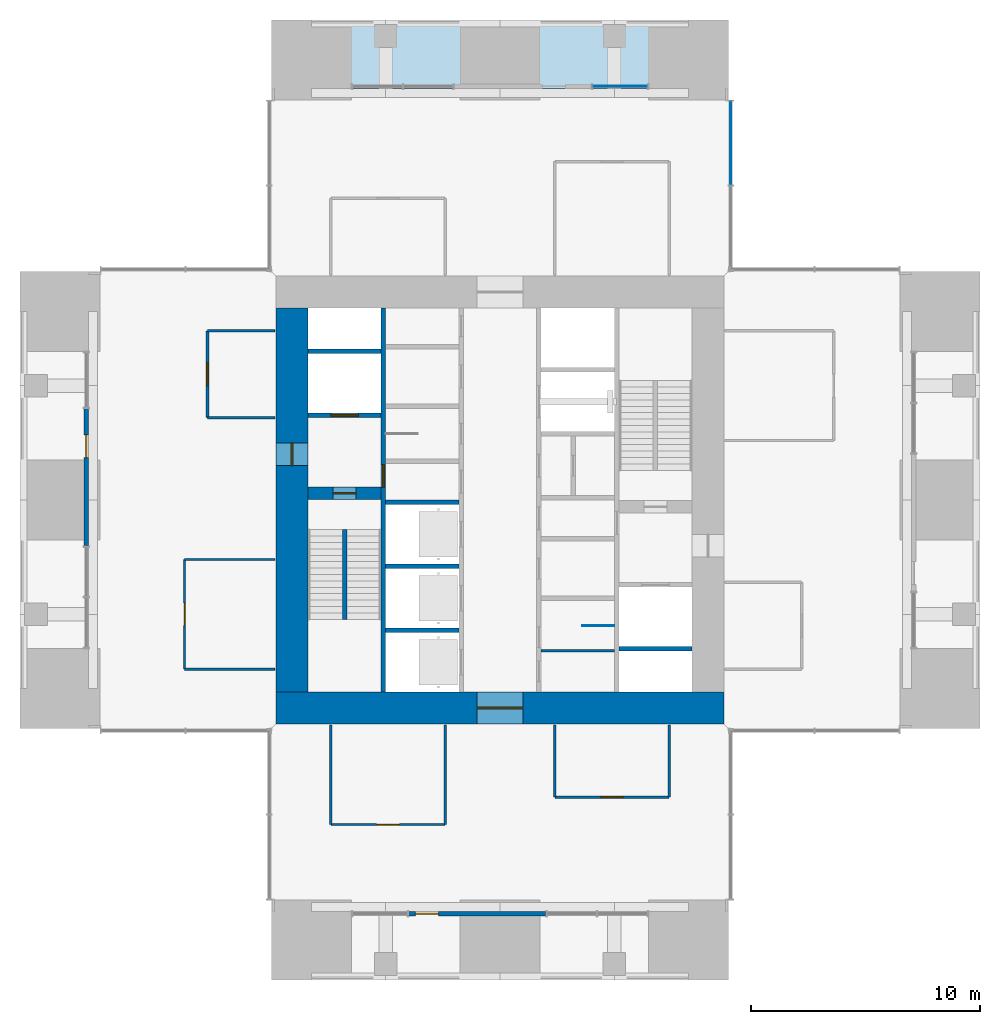
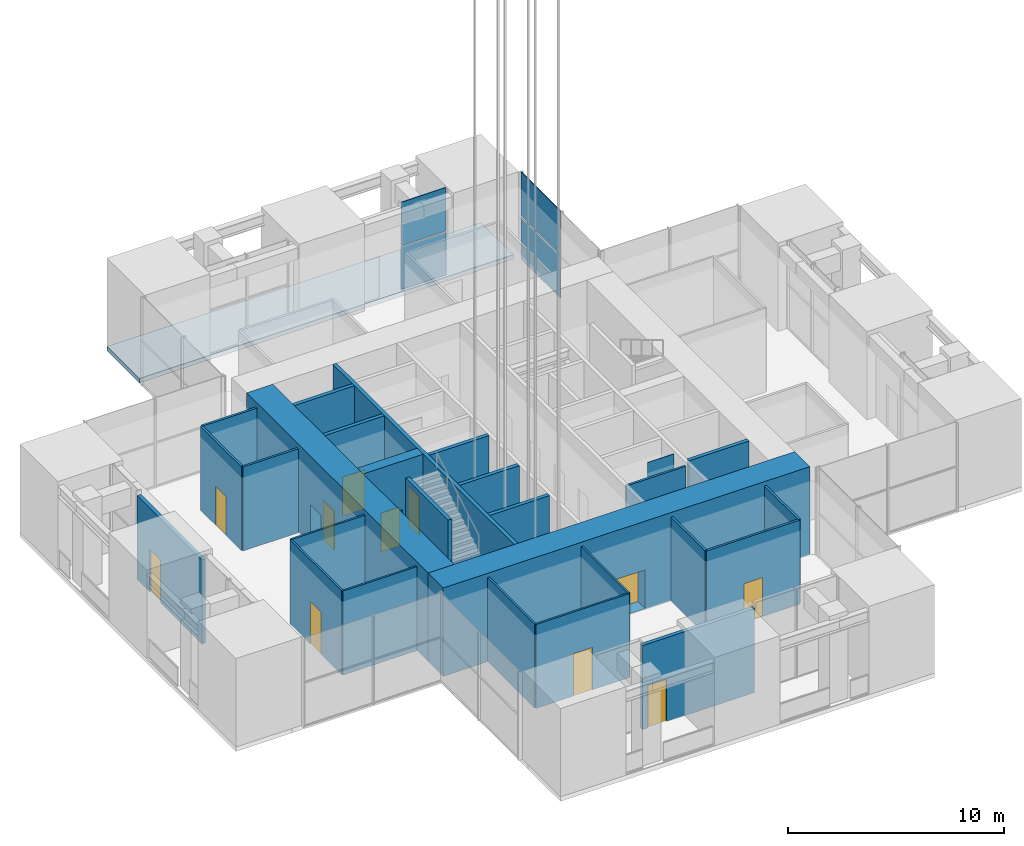
# One storey, part 5 of 17: 27 walls, 11 doors, 4 plates, 1 slab, 11 openings, 2 elements without a shape of their own.
"""IFC4 building model written with IfcOpenShell, lengths in metres."""

from ifc_helpers import new_model, si_unit, direction, frame, frame_2d, origin, origin_2d, place, context, subcontext, project, spatial, polyline, rectangle, outline, extrude, material, layer, layer_set, type_object, element, fill, aggregate, save


model = new_model("IFC4")

# Units and contexts
model_context = context("Model", 3, precision=1e-05, world=origin(), true_north=direction((0.0, 1.0)))
body_context = subcontext(model_context, "Body", "Model", "MODEL_VIEW")
ifc_project = project(units=[si_unit("LENGTHUNIT", "METRE"), si_unit("AREAUNIT", "SQUARE_METRE"), si_unit("VOLUMEUNIT", "CUBIC_METRE"), si_unit("PLANEANGLEUNIT", "RADIAN"), si_unit("MASSUNIT", "GRAM", prefix="KILO")], contexts=[model_context])

# Site, building, storey
site_placement = place(None, origin())
site = spatial("IfcSite", under=ifc_project, at=site_placement, CompositionType="ELEMENT")
building_placement = place(site_placement, origin())
building = spatial("IfcBuilding", under=site, at=building_placement, Name="Svetlomir Tower", CompositionType="ELEMENT")
storey_placement = place(building_placement, frame((0.0, 0.0, 165.5)))
storey = spatial("IfcBuildingStorey", under=building, at=storey_placement, Name="L39", CompositionType="ELEMENT", Elevation=165.5)

# Curtain wall, plates
ifc_material_1 = material(Name="Bronze anodised aluminium curtain wall", Category="aluminium")
curtain_wall_type = type_object("IfcCurtainWallType", Name="CURTAIN WALL CW2 SKY LOBBY", PredefinedType="NOTDEFINED", material=ifc_material_1)
curtain_wall_1_placement = place(storey_placement, origin())
curtain_wall_1 = element("IfcCurtainWall", 1, at=curtain_wall_1_placement, inside=storey, type_object=curtain_wall_type, Name="Curtain wall CW2 L39", PredefinedType="NOTDEFINED")
ifc_material_2 = material(Name="Tinted double glazed unit", Category="glass")
ifc_layer_1 = layer(ifc_material_2, 0.035888671875)
ifc_layer_set_1 = layer_set([ifc_layer_1], Name="Tinted double glazed unit")
plate_type = type_object("IfcPlateType", Name="CW2 GLAZED PANEL 36", PredefinedType="CURTAIN_PANEL", material=ifc_layer_set_1)
plate_1_placement = place(storey_placement, frame((31.10009765625, 36.608642578125, 0.06494140625), z_axis=(0.0, 0.0, 1.0), x_axis=(0.0, 1.0, 0.0)))
plate_1 = element("IfcPlate", 2, at=plate_1_placement, type_object=plate_type, Name="CW2 panel 2.1", PredefinedType="CURTAIN_PANEL", context=body_context, shape_type="SweptSolid", body=[
    extrude(rectangle(XDim=3.652587890625, YDim=0.035888671875, at=origin_2d()), origin(), (0.0, 0.0, 1.0), 2.402587890625),
])
plate_2_placement = place(storey_placement, frame((31.10009765625, 36.608642578125, 2.53271484375), z_axis=(0.0, 0.0, 1.0), x_axis=(0.0, 1.0, 0.0)))
plate_2 = element("IfcPlate", 3, at=plate_2_placement, type_object=plate_type, Name="CW2 panel 2.2", PredefinedType="CURTAIN_PANEL", context=body_context, shape_type="SweptSolid", body=[
    extrude(rectangle(XDim=3.652587890625, YDim=0.035888671875, at=origin_2d()), origin(), (0.0, 0.0, 1.0), 2.467529296875),
])
aggregate(curtain_wall_1, [plate_1, plate_2])

curtain_wall_2_placement = place(storey_placement, origin())
curtain_wall_2 = element("IfcCurtainWall", 4, at=curtain_wall_2_placement, inside=storey, type_object=curtain_wall_type, Name="Curtain wall CW2 L39", PredefinedType="NOTDEFINED")
plate_3_placement = place(storey_placement, frame((26.25, 39.10009765625, 0.06494140625), z_axis=(0.0, 0.0, 1.0), x_axis=(-1.0, 0.0, 0.0)))
plate_3 = element("IfcPlate", 5, at=plate_3_placement, type_object=plate_type, Name="CW2 panel 1.1", PredefinedType="CURTAIN_PANEL", context=body_context, shape_type="SweptSolid", body=[
    extrude(rectangle(XDim=2.3701171875, YDim=0.035888671875, at=origin_2d()), origin(), (0.0, 0.0, 1.0), 2.402587890625),
])
plate_4_placement = place(storey_placement, frame((26.25, 39.10009765625, 2.53271484375), z_axis=(0.0, 0.0, 1.0), x_axis=(-1.0, 0.0, 0.0)))
plate_4 = element("IfcPlate", 6, at=plate_4_placement, type_object=plate_type, Name="CW2 panel 1.2", PredefinedType="CURTAIN_PANEL", context=body_context, shape_type="SweptSolid", body=[
    extrude(rectangle(XDim=2.3701171875, YDim=0.035888671875, at=origin_2d()), origin(), (0.0, 0.0, 1.0), 2.467529296875),
])
aggregate(curtain_wall_2, [plate_3, plate_4])

# Slab
ifc_material_3 = material(Name="Concrete C60/75", Category="concrete")
ifc_layer_2 = layer(ifc_material_3, 0.25)
ifc_layer_set_2 = layer_set([ifc_layer_2], Name="Concrete C60/75")
slab_type = type_object("IfcSlabType", Name="PLANTED LOGGIA SLAB 250", PredefinedType="FLOOR", material=ifc_layer_set_2)
slab_placement = place(storey_placement, frame((0.0, 0.0, -0.25)))
element("IfcSlab", 7, at=slab_placement, inside=storey, type_object=slab_type, Name="L39 N planted loggia", PredefinedType="FLOOR", context=body_context, shape_type="SweptSolid", body=[
    extrude(outline(polyline([(11.0, 39.0), (31.0, 39.0), (31.0, 42.0), (11.0, 42.0), (11.0, 39.0)])), origin(), (0.0, 0.0, 1.0), 0.25),
])

# Wall, opening, door
ifc_material_4 = material(Name="Bronze anodised aluminium glazed screen", Category="aluminium")
ifc_layer_3 = layer(ifc_material_4, 0.199951171875)
ifc_layer_set_3 = layer_set([ifc_layer_3], Name="Bronze anodised aluminium glazed screen")
wall_type_1 = type_object("IfcWallType", Name="BALCONY SCREEN WALL 200", PredefinedType="USERDEFINED", material=ifc_layer_set_3)
wall_1_placement = place(storey_placement, frame((17.0, 2.89990234375, 0.0), z_axis=(0.0, 0.0, 1.0), x_axis=(1.0, 0.0, 0.0)))
wall_1 = element("IfcWall", 8, at=wall_1_placement, inside=storey, type_object=wall_type_1, Name="Balcony screen S", ObjectType="GLAZED SCREEN", PredefinedType="USERDEFINED", context=body_context, shape_type="SweptSolid", body=[
    extrude(rectangle(XDim=6.0, YDim=0.199951171875, at=frame_2d((3.0, 0.0))), origin(), (0.0, 0.0, 1.0), 4.75),
])
opening_1_placement = place(wall_1_placement, frame((0.300048828125, 0.0, 0.0)))
opening_1 = element("IfcOpeningElement", 9, at=opening_1_placement, cuts=wall_1, Name="Opening BD", PredefinedType="OPENING", context=body_context, shape_type="SweptSolid", body=[
    extrude(rectangle(XDim=1.0, YDim=2.39990234375, at=frame_2d((0.5, 1.199951171875))), frame((0.0, 0.10986328125, 0.0), z_axis=(0.0, -1.0, 0.0), x_axis=(1.0, 0.0, 0.0)), (0.0, 0.0, 1.0), 0.219970703125),
])
ifc_material_5 = material(Name="Bronze anodised aluminium glazed door", Category="aluminium")
door_type_1 = type_object("IfcDoorType", Name="BALCONY DOOR BD 1000x2400", OperationType="SINGLE_SWING_LEFT", PredefinedType="DOOR", material=ifc_material_5)
door_1_placement = place(opening_1_placement, origin())
door_1 = element("IfcDoor", 10, at=door_1_placement, inside=storey, type_object=door_type_1, Name="Balcony screen S door", OperationType="SINGLE_SWING_LEFT", OverallHeight=2.39990234375, OverallWidth=1.0, PredefinedType="DOOR", context=body_context, shape_type="SweptSolid", body=[
    extrude(rectangle(XDim=1.0, YDim=2.39990234375, at=frame_2d((0.5, 1.199951171875))), frame((0.0, 0.02490234375, 0.0), z_axis=(0.0, -1.0, 0.0), x_axis=(1.0, 0.0, 0.0)), (0.0, 0.0, 1.0), 0.050048828125),
])
fill(opening_1, door_1)

wall_2_placement = place(storey_placement, frame((2.89990234375, 25.0, 0.0), z_axis=(0.0, 0.0, 1.0), x_axis=(0.0, -1.0, 0.0)))
wall_2 = element("IfcWall", 11, at=wall_2_placement, inside=storey, type_object=wall_type_1, Name="Balcony screen W", ObjectType="GLAZED SCREEN", PredefinedType="USERDEFINED", context=body_context, shape_type="SweptSolid", body=[
    extrude(rectangle(XDim=6.0, YDim=0.199951171875, at=frame_2d((3.0, 0.0))), origin(), (0.0, 0.0, 1.0), 4.75),
])
opening_2_placement = place(wall_2_placement, frame((1.14990234375, 0.0, 0.0)))
opening_2 = element("IfcOpeningElement", 12, at=opening_2_placement, cuts=wall_2, Name="Opening BD", PredefinedType="OPENING", context=body_context, shape_type="SweptSolid", body=[
    extrude(rectangle(XDim=1.0, YDim=2.39990234375, at=frame_2d((0.5, 1.199951171875))), frame((0.0, 0.10986328125, 0.0), z_axis=(0.0, -1.0, 0.0), x_axis=(1.0, 0.0, 0.0)), (0.0, 0.0, 1.0), 0.219970703125),
])
door_2_placement = place(opening_2_placement, origin())
door_2 = element("IfcDoor", 13, at=door_2_placement, inside=storey, type_object=door_type_1, Name="Balcony screen W door", OperationType="SINGLE_SWING_LEFT", OverallHeight=2.39990234375, OverallWidth=1.0, PredefinedType="DOOR", context=body_context, shape_type="SweptSolid", body=[
    extrude(rectangle(XDim=1.0, YDim=2.39990234375, at=frame_2d((0.5, 1.199951171875))), frame((0.0, 0.02490234375, 0.0), z_axis=(0.0, -1.0, 0.0), x_axis=(1.0, 0.0, 0.0)), (0.0, 0.0, 1.0), 0.050048828125),
])
fill(opening_2, door_2)

ifc_material_6 = material(Name="Concrete C60/75", Category="concrete")
ifc_layer_4 = layer(ifc_material_6, 0.199951171875)
ifc_layer_set_4 = layer_set([ifc_layer_4], Name="Concrete C60/75")
wall_type_2 = type_object("IfcWallType", Name="CORE INNER WALL 200", PredefinedType="SHEAR", material=ifc_layer_set_4)
wall_3_placement = place(storey_placement, frame((15.89990234375, 12.60009765625, -0.050048828125), z_axis=(0.0, 0.0, 1.0), x_axis=(0.0, 1.0, 0.0)))
wall_3 = element("IfcWall", 14, at=wall_3_placement, inside=storey, type_object=wall_type_2, Name="Core inner wall 15.9 L39", PredefinedType="SHEAR", context=body_context, shape_type="SweptSolid", body=[
    extrude(rectangle(XDim=16.7998046875, YDim=0.199951171875, at=frame_2d((8.39990234375, 0.0))), origin(), (0.0, 0.0, 1.0), 5.0),
])
opening_3_placement = place(wall_3_placement, frame((8.949951171875, 0.0, 0.050048828125)))
opening_3 = element("IfcOpeningElement", 15, at=opening_3_placement, cuts=wall_3, Name="Opening DF", PredefinedType="OPENING", context=body_context, shape_type="SweptSolid", body=[
    extrude(rectangle(XDim=1.0, YDim=2.199951171875, at=frame_2d((0.5, 1.10009765625))), frame((0.0, 0.10986328125, 0.0), z_axis=(0.0, -1.0, 0.0), x_axis=(1.0, 0.0, 0.0)), (0.0, 0.0, 1.0), 0.219970703125),
])
ifc_material_7 = material(Name="Steel fire door", Category="steel")
door_type_2 = type_object("IfcDoorType", Name="DOOR DF 1000x2200", OperationType="SINGLE_SWING_LEFT", PredefinedType="DOOR", material=ifc_material_7)
door_3_placement = place(opening_3_placement, origin())
door_3 = element("IfcDoor", 16, at=door_3_placement, inside=storey, type_object=door_type_2, Name="Core corridor west door L39", OperationType="SINGLE_SWING_LEFT", OverallHeight=2.199951171875, OverallWidth=1.0, PredefinedType="DOOR", context=body_context, shape_type="SweptSolid", body=[
    extrude(rectangle(XDim=1.0, YDim=2.199951171875, at=frame_2d((0.5, 1.10009765625))), frame((0.0, 0.02490234375, 0.0), z_axis=(0.0, -1.0, 0.0), x_axis=(1.0, 0.0, 0.0)), (0.0, 0.0, 1.0), 0.050048828125),
])
fill(opening_3, door_3)

wall_4_placement = place(storey_placement, frame((12.60009765625, 24.699951171875, -0.050048828125), z_axis=(0.0, 0.0, 1.0), x_axis=(1.0, 0.0, 0.0)))
wall_4 = element("IfcWall", 17, at=wall_4_placement, inside=storey, type_object=wall_type_2, Name="Core inner wall 12.6-15.8/24.7 L39", PredefinedType="SHEAR", context=body_context, shape_type="SweptSolid", body=[
    extrude(rectangle(XDim=3.199951171875, YDim=0.199951171875, at=frame_2d((1.60009765625, 0.0))), origin(), (0.0, 0.0, 1.0), 5.0),
])
opening_4_placement = place(wall_4_placement, frame((1.0, 0.0, 0.050048828125)))
opening_4 = element("IfcOpeningElement", 18, at=opening_4_placement, cuts=wall_4, Name="Opening LD3", PredefinedType="OPENING", context=body_context, shape_type="SweptSolid", body=[
    extrude(rectangle(XDim=1.199951171875, YDim=2.199951171875, at=frame_2d((0.60009765625, 1.10009765625))), frame((0.0, 0.10986328125, 0.0), z_axis=(0.0, -1.0, 0.0), x_axis=(1.0, 0.0, 0.0)), (0.0, 0.0, 1.0), 0.219970703125),
])
ifc_material_8 = material(Name="Stainless steel fire-rated landing door", Category="steel")
door_type_3 = type_object("IfcDoorType", Name="FIREFIGHTING LIFT LANDING DOOR LD3 1200x2200", OperationType="DOUBLE_DOOR_SLIDING", PredefinedType="DOOR", material=ifc_material_8)
door_4_placement = place(opening_4_placement, origin())
door_4 = element("IfcDoor", 19, at=door_4_placement, inside=storey, type_object=door_type_3, Name="Landing door lift FL1 L39", OperationType="DOUBLE_DOOR_SLIDING", OverallHeight=2.199951171875, OverallWidth=1.199951171875, PredefinedType="DOOR", context=body_context, shape_type="SweptSolid", body=[
    extrude(rectangle(XDim=1.199951171875, YDim=2.199951171875, at=frame_2d((0.60009765625, 1.10009765625))), frame((0.0, 0.02490234375, 0.0), z_axis=(0.0, -1.0, 0.0), x_axis=(1.0, 0.0, 0.0)), (0.0, 0.0, 1.0), 0.050048828125),
])
fill(opening_4, door_4)

# Walls
for number, where, z_axis, x_axis, name in (
    (20, (12.60009765625, 27.5, -0.050048828125), (0.0, 0.0, 1.0), (1.0, 0.0, 0.0), "Core inner wall 12.6-15.8/27.5 L39"),
    (21, (16.0, 15.300048828125, -0.050048828125), (0.0, 0.0, 1.0), (1.0, 0.0, 0.0), "Core inner wall 16-19.2/15.3 L39"),
    (22, (16.0, 18.10009765625, -0.050048828125), (0.0, 0.0, 1.0), (1.0, 0.0, 0.0), "Core inner wall 16-19.2/18.1 L39"),
    (23, (16.0, 20.89990234375, -0.050048828125), (0.0, 0.0, 1.0), (1.0, 0.0, 0.0), "Core inner wall 16-19.2/20.9 L39"),
    (24, (26.199951171875, 14.5, -0.050048828125), (0.0, 0.0, 1.0), (1.0, 0.0, 0.0), "Core inner wall 26.2-29.4/14.5 L39"),
):
    element("IfcWall", number, at=place(storey_placement, frame(where, z_axis=z_axis, x_axis=x_axis)), inside=storey, type_object=wall_type_2, Name=name, PredefinedType="SHEAR", context=body_context, shape_type="SweptSolid", body=[
        extrude(rectangle(XDim=3.199951171875, YDim=0.199951171875, at=frame_2d((1.60009765625, 0.0))), origin(), (0.0, 0.0, 1.0), 5.0),
    ])

# Wall, opening, door
ifc_material_9 = material(Name="Concrete C60/75", Category="concrete")
ifc_layer_5 = layer(ifc_material_9, 0.550048828125)
ifc_layer_set_5 = layer_set([ifc_layer_5], Name="Concrete C60/75")
wall_type_3 = type_object("IfcWallType", Name="CORE OUTRIGGER WALL 550", PredefinedType="SHEAR", material=ifc_layer_set_5)
wall_5_placement = place(storey_placement, frame((12.60009765625, 21.300048828125, -0.050048828125), z_axis=(0.0, 0.0, 1.0), x_axis=(1.0, 0.0, 0.0)))
wall_5 = element("IfcWall", 25, at=wall_5_placement, inside=storey, type_object=wall_type_3, Name="Core outrigger wall 12.6-15.8/21.3 L39", PredefinedType="SHEAR", context=body_context, shape_type="SweptSolid", body=[
    extrude(rectangle(XDim=3.199951171875, YDim=0.550048828125, at=frame_2d((1.60009765625, 0.0))), origin(), (0.0, 0.0, 1.0), 5.0),
])
opening_5_placement = place(wall_5_placement, frame((1.10009765625, 0.0, 0.050048828125)))
opening_5 = element("IfcOpeningElement", 26, at=opening_5_placement, cuts=wall_5, Name="Opening DF", PredefinedType="OPENING", context=body_context, shape_type="SweptSolid", body=[
    extrude(rectangle(XDim=1.0, YDim=2.199951171875, at=frame_2d((0.5, 1.10009765625))), frame((0.0, 0.28515625, 0.0), z_axis=(0.0, -1.0, 0.0), x_axis=(1.0, 0.0, 0.0)), (0.0, 0.0, 1.0), 0.570068359375),
])
door_5_placement = place(opening_5_placement, origin())
door_5 = element("IfcDoor", 27, at=door_5_placement, inside=storey, type_object=door_type_2, Name="Stair S1 door L39", OperationType="SINGLE_SWING_RIGHT", OverallHeight=2.199951171875, OverallWidth=1.0, PredefinedType="DOOR", context=body_context, shape_type="SweptSolid", body=[
    extrude(rectangle(XDim=1.0, YDim=2.199951171875, at=frame_2d((0.5, 1.10009765625))), frame((0.0, 0.02490234375, 0.0), z_axis=(0.0, -1.0, 0.0), x_axis=(1.0, 0.0, 0.0)), (0.0, 0.0, 1.0), 0.050048828125),
])
fill(opening_5, door_5)

ifc_material_10 = material(Name="Concrete C60/75", Category="concrete")
ifc_layer_6 = layer(ifc_material_10, 1.39990234375)
ifc_layer_set_6 = layer_set([ifc_layer_6], Name="Concrete C60/75")
wall_type_4 = type_object("IfcWallType", Name="CORE WALL 1400", PredefinedType="SHEAR", material=ifc_layer_set_6)
wall_6_placement = place(storey_placement, frame((11.199951171875, 11.89990234375, -0.050048828125), z_axis=(0.0, 0.0, 1.0), x_axis=(1.0, 0.0, 0.0)))
wall_6 = element("IfcWall", 28, at=wall_6_placement, inside=storey, type_object=wall_type_4, Name="Core wall south L39", PredefinedType="SHEAR", context=body_context, shape_type="SweptSolid", body=[
    extrude(rectangle(XDim=19.60009765625, YDim=1.39990234375, at=frame_2d((9.800048828125, 0.0))), origin(), (0.0, 0.0, 1.0), 5.0),
])
opening_6_placement = place(wall_6_placement, frame((8.800048828125, 0.0, 0.050048828125)))
opening_6 = element("IfcOpeningElement", 29, at=opening_6_placement, cuts=wall_6, Name="Opening DL", PredefinedType="OPENING", context=body_context, shape_type="SweptSolid", body=[
    extrude(rectangle(XDim=2.0, YDim=2.199951171875, at=frame_2d((1.0, 1.10009765625))), frame((0.0, 0.7099609375, 0.0), z_axis=(0.0, -1.0, 0.0), x_axis=(1.0, 0.0, 0.0)), (0.0, 0.0, 1.0), 1.419921875),
])
ifc_material_11 = material(Name="Steel fire door", Category="steel")
door_type_4 = type_object("IfcDoorType", Name="DOOR DL 2000x2200", OperationType="DOUBLE_DOOR_SINGLE_SWING", PredefinedType="DOOR", material=ifc_material_11)
door_6_placement = place(opening_6_placement, origin())
door_6 = element("IfcDoor", 30, at=door_6_placement, inside=storey, type_object=door_type_4, Name="Lift lobby south door L39", OperationType="DOUBLE_DOOR_SINGLE_SWING", OverallHeight=2.199951171875, OverallWidth=2.0, PredefinedType="DOOR", context=body_context, shape_type="SweptSolid", body=[
    extrude(rectangle(XDim=2.0, YDim=2.199951171875, at=frame_2d((1.0, 1.10009765625))), frame((0.0, 0.02490234375, 0.0), z_axis=(0.0, -1.0, 0.0), x_axis=(1.0, 0.0, 0.0)), (0.0, 0.0, 1.0), 0.050048828125),
])
fill(opening_6, door_6)

wall_7_placement = place(storey_placement, frame((11.89990234375, 12.60009765625, -0.050048828125), z_axis=(0.0, 0.0, 1.0), x_axis=(0.0, 1.0, 0.0)))
wall_7 = element("IfcWall", 31, at=wall_7_placement, inside=storey, type_object=wall_type_4, Name="Core wall west L39", PredefinedType="SHEAR", context=body_context, shape_type="SweptSolid", body=[
    extrude(rectangle(XDim=16.7998046875, YDim=1.39990234375, at=frame_2d((8.39990234375, 0.0))), origin(), (0.0, 0.0, 1.0), 5.0),
])
opening_7_placement = place(wall_7_placement, frame((9.89990234375, 0.0, 0.050048828125)))
opening_7 = element("IfcOpeningElement", 32, at=opening_7_placement, cuts=wall_7, Name="Opening DF", PredefinedType="OPENING", context=body_context, shape_type="SweptSolid", body=[
    extrude(rectangle(XDim=1.0, YDim=2.199951171875, at=frame_2d((0.5, 1.10009765625))), frame((0.0, 0.7099609375, 0.0), z_axis=(0.0, -1.0, 0.0), x_axis=(1.0, 0.0, 0.0)), (0.0, 0.0, 1.0), 1.419921875),
])
door_7_placement = place(opening_7_placement, origin())
door_7 = element("IfcDoor", 33, at=door_7_placement, inside=storey, type_object=door_type_2, Name="Firefighting lobby west door L39", OperationType="SINGLE_SWING_LEFT", OverallHeight=2.199951171875, OverallWidth=1.0, PredefinedType="DOOR", context=body_context, shape_type="SweptSolid", body=[
    extrude(rectangle(XDim=1.0, YDim=2.199951171875, at=frame_2d((0.5, 1.10009765625))), frame((0.0, 0.02490234375, 0.0), z_axis=(0.0, -1.0, 0.0), x_axis=(1.0, 0.0, 0.0)), (0.0, 0.0, 1.0), 0.050048828125),
])
fill(opening_7, door_7)

ifc_material_12 = material(Name="Framed laminated glass partition", Category="glass")
ifc_layer_7 = layer(ifc_material_12, 0.10009765625)
ifc_layer_set_7 = layer_set([ifc_layer_7], Name="Framed laminated glass partition")
wall_type_5 = type_object("IfcWallType", Name="GLAZED PARTITION 100", PredefinedType="PARTITIONING", material=ifc_layer_set_7)
wall_8_placement = place(storey_placement, frame((7.199951171875, 13.60009765625, 0.0), z_axis=(0.0, 0.0, 1.0), x_axis=(0.0, 1.0, 0.0)))
wall_8 = element("IfcWall", 34, at=wall_8_placement, inside=storey, type_object=wall_type_5, Name="Glazed partition L39", PredefinedType="PARTITIONING", context=body_context, shape_type="SweptSolid", body=[
    extrude(rectangle(XDim=4.7998046875, YDim=0.10009765625, at=frame_2d((2.39990234375, 0.0))), origin(), (0.0, 0.0, 1.0), 4.75),
])
opening_8_placement = place(wall_8_placement, frame((1.89990234375, 0.0, 0.0)))
opening_8 = element("IfcOpeningElement", 35, at=opening_8_placement, cuts=wall_8, Name="Opening DG", PredefinedType="OPENING", context=body_context, shape_type="SweptSolid", body=[
    extrude(rectangle(XDim=1.0, YDim=2.39990234375, at=frame_2d((0.5, 1.199951171875))), frame((0.0, 0.06005859375, 0.0), z_axis=(0.0, -1.0, 0.0), x_axis=(1.0, 0.0, 0.0)), (0.0, 0.0, 1.0), 0.1201171875),
])
ifc_material_13 = material(Name="Framed laminated glass door", Category="glass")
door_type_5 = type_object("IfcDoorType", Name="GLAZED DOOR DG 1000x2400", OperationType="SINGLE_SWING_LEFT", PredefinedType="DOOR", material=ifc_material_13)
door_8_placement = place(opening_8_placement, origin())
door_8 = element("IfcDoor", 36, at=door_8_placement, inside=storey, type_object=door_type_5, Name="Client meeting room, 10 seats door L39", OperationType="SINGLE_SWING_LEFT", OverallHeight=2.39990234375, OverallWidth=1.0, PredefinedType="DOOR", context=body_context, shape_type="SweptSolid", body=[
    extrude(rectangle(XDim=1.0, YDim=2.39990234375, at=frame_2d((0.5, 1.199951171875))), frame((0.0, 0.02490234375, 0.0), z_axis=(0.0, -1.0, 0.0), x_axis=(1.0, 0.0, 0.0)), (0.0, 0.0, 1.0), 0.050048828125),
])
fill(opening_8, door_8)

# Walls
for number, where, z_axis, x_axis, name in (
    (37, (7.199951171875, 13.60009765625, 0.0), (0.0, 0.0, 1.0), (1.0, 0.0, 0.0), "Glazed partition L39"),
    (38, (7.199951171875, 18.39990234375, 0.0), (0.0, 0.0, 1.0), (1.0, 0.0, 0.0), "Glazed partition L39"),
):
    element("IfcWall", number, at=place(storey_placement, frame(where, z_axis=z_axis, x_axis=x_axis)), inside=storey, type_object=wall_type_5, Name=name, PredefinedType="PARTITIONING", context=body_context, shape_type="SweptSolid", body=[
        extrude(rectangle(XDim=3.949951171875, YDim=0.10009765625, at=frame_2d((1.97509765625, 0.0))), origin(), (0.0, 0.0, 1.0), 4.75),
    ])
wall_9_placement = place(storey_placement, frame((13.60009765625, 6.800048828125, 0.0), z_axis=(0.0, 0.0, 1.0), x_axis=(0.0, 1.0, 0.0)))
element("IfcWall", 39, at=wall_9_placement, inside=storey, type_object=wall_type_5, Name="Glazed partition L39", PredefinedType="PARTITIONING", context=body_context, shape_type="SweptSolid", body=[
    extrude(rectangle(XDim=4.349853515625, YDim=0.10009765625, at=frame_2d((2.1748046875, 0.0))), origin(), (0.0, 0.0, 1.0), 4.75),
])

# Wall, opening, door
wall_10_placement = place(storey_placement, frame((13.60009765625, 6.800048828125, 0.0), z_axis=(0.0, 0.0, 1.0), x_axis=(1.0, 0.0, 0.0)))
wall_10 = element("IfcWall", 40, at=wall_10_placement, inside=storey, type_object=wall_type_5, Name="Glazed partition L39", PredefinedType="PARTITIONING", context=body_context, shape_type="SweptSolid", body=[
    extrude(rectangle(XDim=5.0, YDim=0.10009765625, at=frame_2d((2.5, 0.0))), origin(), (0.0, 0.0, 1.0), 4.75),
])
opening_9_placement = place(wall_10_placement, frame((2.0, 0.0, 0.0)))
opening_9 = element("IfcOpeningElement", 41, at=opening_9_placement, cuts=wall_10, Name="Opening DG", PredefinedType="OPENING", context=body_context, shape_type="SweptSolid", body=[
    extrude(rectangle(XDim=1.0, YDim=2.39990234375, at=frame_2d((0.5, 1.199951171875))), frame((0.0, 0.06005859375, 0.0), z_axis=(0.0, -1.0, 0.0), x_axis=(1.0, 0.0, 0.0)), (0.0, 0.0, 1.0), 0.1201171875),
])
door_9_placement = place(opening_9_placement, origin())
door_9 = element("IfcDoor", 42, at=door_9_placement, inside=storey, type_object=door_type_5, Name="Library lounge door L39", OperationType="SINGLE_SWING_LEFT", OverallHeight=2.39990234375, OverallWidth=1.0, PredefinedType="DOOR", context=body_context, shape_type="SweptSolid", body=[
    extrude(rectangle(XDim=1.0, YDim=2.39990234375, at=frame_2d((0.5, 1.199951171875))), frame((0.0, 0.02490234375, 0.0), z_axis=(0.0, -1.0, 0.0), x_axis=(1.0, 0.0, 0.0)), (0.0, 0.0, 1.0), 0.050048828125),
])
fill(opening_9, door_9)

# Walls
wall_11_placement = place(storey_placement, frame((18.60009765625, 6.800048828125, 0.0), z_axis=(0.0, 0.0, 1.0), x_axis=(0.0, 1.0, 0.0)))
element("IfcWall", 43, at=wall_11_placement, inside=storey, type_object=wall_type_5, Name="Glazed partition L39", PredefinedType="PARTITIONING", context=body_context, shape_type="SweptSolid", body=[
    extrude(rectangle(XDim=4.349853515625, YDim=0.10009765625, at=frame_2d((2.1748046875, 0.0))), origin(), (0.0, 0.0, 1.0), 4.75),
])
ifc_material_14 = material(Name="Gypsum board on steel studs", Category="steel")
ifc_layer_8 = layer(ifc_material_14, 0.1201171875)
ifc_layer_set_8 = layer_set([ifc_layer_8], Name="Gypsum board on steel studs")
wall_type_6 = type_object("IfcWallType", Name="PARTITION 120", PredefinedType="PARTITIONING", material=ifc_layer_set_8)
wall_12_placement = place(storey_placement, frame((22.800048828125, 14.39990234375, 0.0), z_axis=(0.0, 0.0, 1.0), x_axis=(1.0, 0.0, 0.0)))
element("IfcWall", 44, at=wall_12_placement, inside=storey, type_object=wall_type_6, Name="Floor store partition L39", PredefinedType="PARTITIONING", context=body_context, shape_type="SweptSolid", body=[
    extrude(rectangle(XDim=3.199951171875, YDim=0.1201171875, at=frame_2d((1.60009765625, 0.0))), origin(), (0.0, 0.0, 1.0), 4.75),
])

# Wall, opening, door
wall_13_placement = place(storey_placement, frame((8.199951171875, 24.60009765625, 0.0), z_axis=(0.0, 0.0, 1.0), x_axis=(0.0, 1.0, 0.0)))
wall_13 = element("IfcWall", 45, at=wall_13_placement, inside=storey, type_object=wall_type_6, Name="Partition L39", PredefinedType="PARTITIONING", context=body_context, shape_type="SweptSolid", body=[
    extrude(rectangle(XDim=3.7998046875, YDim=0.1201171875, at=frame_2d((1.89990234375, 0.0))), origin(), (0.0, 0.0, 1.0), 4.75),
])
opening_10_placement = place(wall_13_placement, frame((1.39990234375, 0.0, 0.0)))
opening_10 = element("IfcOpeningElement", 46, at=opening_10_placement, cuts=wall_13, Name="Opening DR", PredefinedType="OPENING", context=body_context, shape_type="SweptSolid", body=[
    extrude(rectangle(XDim=1.0, YDim=2.199951171875, at=frame_2d((0.5, 1.10009765625))), frame((0.0, 0.070068359375, 0.0), z_axis=(0.0, -1.0, 0.0), x_axis=(1.0, 0.0, 0.0)), (0.0, 0.0, 1.0), 0.14013671875),
])
ifc_material_15 = material(Name="Timber door, glazed side light", Category="wood")
door_type_6 = type_object("IfcDoorType", Name="DOOR DR 1000x2200", OperationType="SINGLE_SWING_LEFT", PredefinedType="DOOR", material=ifc_material_15)
door_10_placement = place(opening_10_placement, origin())
door_10 = element("IfcDoor", 47, at=door_10_placement, inside=storey, type_object=door_type_6, Name="Massage room door L39", OperationType="SINGLE_SWING_RIGHT", OverallHeight=2.199951171875, OverallWidth=1.0, PredefinedType="DOOR", context=body_context, shape_type="SweptSolid", body=[
    extrude(rectangle(XDim=1.0, YDim=2.199951171875, at=frame_2d((0.5, 1.10009765625))), frame((0.0, 0.02490234375, 0.0), z_axis=(0.0, -1.0, 0.0), x_axis=(1.0, 0.0, 0.0)), (0.0, 0.0, 1.0), 0.050048828125),
])
fill(opening_10, door_10)

# Walls
for number, where, z_axis, x_axis, name in (
    (48, (8.199951171875, 24.60009765625, 0.0), (0.0, 0.0, 1.0), (1.0, 0.0, 0.0), "Partition L39"),
    (49, (8.199951171875, 28.39990234375, 0.0), (0.0, 0.0, 1.0), (1.0, 0.0, 0.0), "Partition L39"),
):
    element("IfcWall", number, at=place(storey_placement, frame(where, z_axis=z_axis, x_axis=x_axis)), inside=storey, type_object=wall_type_6, Name=name, PredefinedType="PARTITIONING", context=body_context, shape_type="SweptSolid", body=[
        extrude(rectangle(XDim=2.949951171875, YDim=0.1201171875, at=frame_2d((1.47509765625, 0.0))), origin(), (0.0, 0.0, 1.0), 4.75),
    ])
wall_14_placement = place(storey_placement, frame((23.39990234375, 8.0, 0.0), z_axis=(0.0, 0.0, 1.0), x_axis=(0.0, 1.0, 0.0)))
element("IfcWall", 50, at=wall_14_placement, inside=storey, type_object=wall_type_6, Name="Partition L39", PredefinedType="PARTITIONING", context=body_context, shape_type="SweptSolid", body=[
    extrude(rectangle(XDim=3.14990234375, YDim=0.1201171875, at=frame_2d((1.574951171875, 0.0))), origin(), (0.0, 0.0, 1.0), 4.75),
])

# Wall, opening, door
wall_15_placement = place(storey_placement, frame((23.39990234375, 8.0, 0.0), z_axis=(0.0, 0.0, 1.0), x_axis=(1.0, 0.0, 0.0)))
wall_15 = element("IfcWall", 51, at=wall_15_placement, inside=storey, type_object=wall_type_6, Name="Partition L39", PredefinedType="PARTITIONING", context=body_context, shape_type="SweptSolid", body=[
    extrude(rectangle(XDim=5.0, YDim=0.1201171875, at=frame_2d((2.5, 0.0))), origin(), (0.0, 0.0, 1.0), 4.75),
])
opening_11_placement = place(wall_15_placement, frame((2.0, 0.0, 0.0)))
opening_11 = element("IfcOpeningElement", 52, at=opening_11_placement, cuts=wall_15, Name="Opening DR", PredefinedType="OPENING", context=body_context, shape_type="SweptSolid", body=[
    extrude(rectangle(XDim=1.0, YDim=2.199951171875, at=frame_2d((0.5, 1.10009765625))), frame((0.0, 0.070068359375, 0.0), z_axis=(0.0, -1.0, 0.0), x_axis=(1.0, 0.0, 0.0)), (0.0, 0.0, 1.0), 0.14013671875),
])
door_11_placement = place(opening_11_placement, origin())
door_11 = element("IfcDoor", 53, at=door_11_placement, inside=storey, type_object=door_type_6, Name="Wellness room door L39", OperationType="SINGLE_SWING_RIGHT", OverallHeight=2.199951171875, OverallWidth=1.0, PredefinedType="DOOR", context=body_context, shape_type="SweptSolid", body=[
    extrude(rectangle(XDim=1.0, YDim=2.199951171875, at=frame_2d((0.5, 1.10009765625))), frame((0.0, 0.02490234375, 0.0), z_axis=(0.0, -1.0, 0.0), x_axis=(1.0, 0.0, 0.0)), (0.0, 0.0, 1.0), 0.050048828125),
])
fill(opening_11, door_11)

# Walls
wall_16_placement = place(storey_placement, frame((28.39990234375, 8.0, 0.0), z_axis=(0.0, 0.0, 1.0), x_axis=(0.0, 1.0, 0.0)))
element("IfcWall", 54, at=wall_16_placement, inside=storey, type_object=wall_type_6, Name="Partition L39", PredefinedType="PARTITIONING", context=body_context, shape_type="SweptSolid", body=[
    extrude(rectangle(XDim=3.14990234375, YDim=0.1201171875, at=frame_2d((1.574951171875, 0.0))), origin(), (0.0, 0.0, 1.0), 4.75),
])
ifc_material_16 = material(Name="Concrete C60/75", Category="concrete")
ifc_layer_9 = layer(ifc_material_16, 0.199951171875)
ifc_layer_set_9 = layer_set([ifc_layer_9], Name="Concrete C60/75")
wall_type_7 = type_object("IfcWallType", Name="STAIR SPINE WALL 200", PredefinedType="PARTITIONING", material=ifc_layer_set_9)
wall_17_placement = place(storey_placement, frame((14.199951171875, 15.780029296875, 0.0), z_axis=(0.0, 0.0, 1.0), x_axis=(0.0, 1.0, 0.0)))
element("IfcWall", 55, at=wall_17_placement, inside=storey, type_object=wall_type_7, Name="Stair S1 spine wall L39", PredefinedType="PARTITIONING", context=body_context, shape_type="SweptSolid", body=[
    extrude(rectangle(XDim=3.919921875, YDim=0.199951171875, at=frame_2d((1.9599609375, 0.0))), origin(), (0.0, 0.0, 1.0), 5.0),
])
ifc_material_17 = material(Name="Compact laminate panel", Category="plastic")
ifc_layer_10 = layer(ifc_material_17, 0.030029296875)
ifc_layer_set_10 = layer_set([ifc_layer_10], Name="Compact laminate panel")
wall_type_8 = type_object("IfcWallType", Name="WC CUBICLE PARTITION 30", PredefinedType="PARTITIONING", material=ifc_layer_set_10)
wall_18_placement = place(storey_placement, frame((24.60009765625, 15.5, 0.0), z_axis=(0.0, 0.0, 1.0), x_axis=(1.0, 0.0, 0.0)))
element("IfcWall", 56, at=wall_18_placement, inside=storey, type_object=wall_type_8, Name="WC cubicle partition L39", PredefinedType="PARTITIONING", context=body_context, shape_type="SweptSolid", body=[
    extrude(rectangle(XDim=1.39990234375, YDim=0.030029296875, at=frame_2d((0.699951171875, 0.0))), origin(), (0.0, 0.0, 1.0), 4.75),
])

save(model, "model.ifc")
